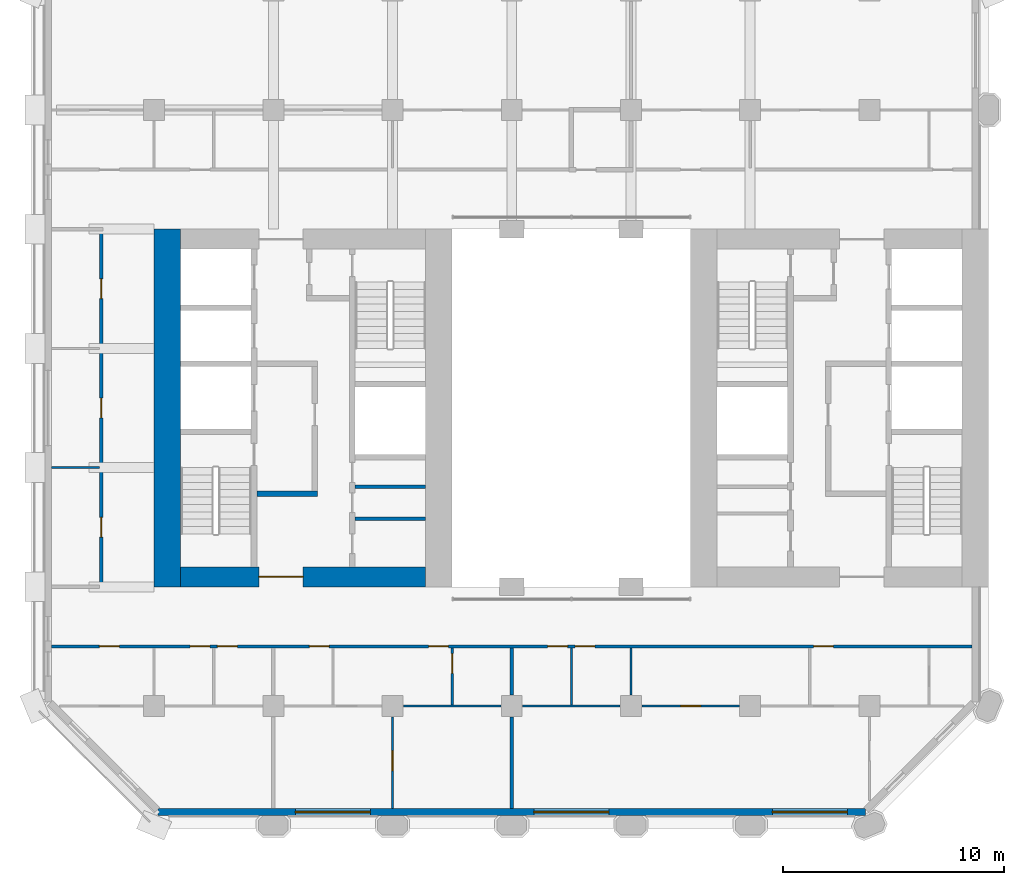
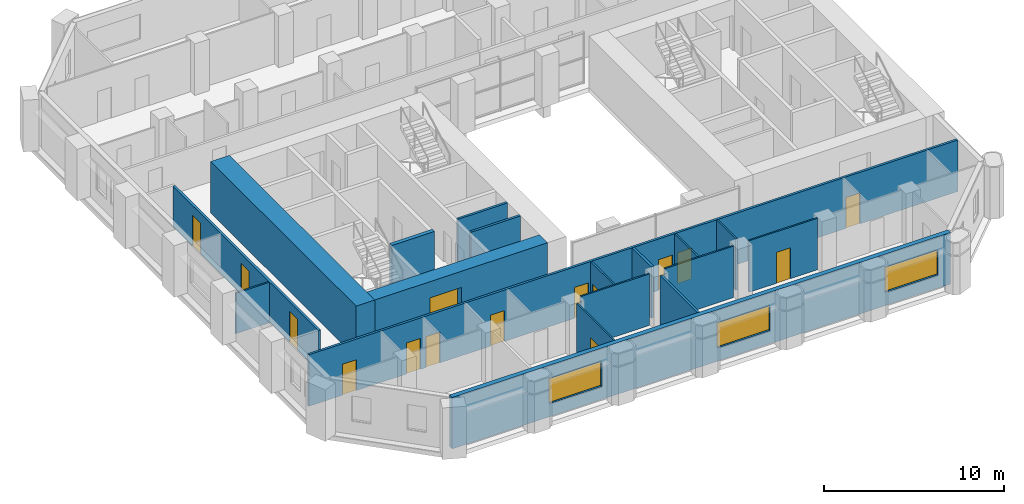
# One storey, part 6 of 13: 18 walls, 15 doors, 3 windows, 18 openings.
"""IFC4 building model written with IfcOpenShell, lengths in metres."""

from ifc_helpers import new_model, si_unit, direction, frame, frame_2d, origin, place, context, subcontext, project, spatial, rectangle, extrude, material, layer, layer_set, type_object, element, fill, save


model = new_model("IFC4")

# Units and contexts
model_context = context("Model", 3, precision=1e-05, world=origin(), true_north=direction((0.0, 1.0)))
body_context = subcontext(model_context, "Body", "Model", "MODEL_VIEW")
ifc_project = project(units=[si_unit("LENGTHUNIT", "METRE"), si_unit("AREAUNIT", "SQUARE_METRE"), si_unit("VOLUMEUNIT", "CUBIC_METRE"), si_unit("PLANEANGLEUNIT", "RADIAN"), si_unit("MASSUNIT", "GRAM", prefix="KILO")], contexts=[model_context])

# Site, building, storey
site_placement = place(None, origin())
site = spatial("IfcSite", under=ifc_project, at=site_placement, CompositionType="ELEMENT")
building_placement = place(site_placement, origin())
building = spatial("IfcBuilding", under=site, at=building_placement, Name="Tabaq Tower and Sports Hall", CompositionType="ELEMENT")
storey_placement = place(building_placement, frame((0.0, 0.0, 114.39990234375)))
storey = spatial("IfcBuildingStorey", under=building, at=storey_placement, Name="L27", CompositionType="ELEMENT", Elevation=114.39990234375)

# Walls
ifc_material_1 = material(Name="Blockwork", Category="masonry")
ifc_layer_1 = layer(ifc_material_1, 0.14990234375)
ifc_layer_set_1 = layer_set([ifc_layer_1], Name="Core room partition 150 Blockwork")
wall_type_1 = type_object("IfcWallType", Name="Core room partition 150 Blockwork", PredefinedType="PARTITIONING", material=ifc_layer_set_1)
for number, where, z_axis, x_axis, name in (
    (1, (14.5, 19.282958984375, 0.0), (0.0, 0.0, 1.0), (1.0, 0.0, 0.0), "Core room partition W L27"),
    (2, (14.5, 20.738037109375, 0.0), (0.0, 0.0, 1.0), (1.0, 0.0, 0.0), "Core room partition W L27"),
):
    element("IfcWall", number, at=place(storey_placement, frame(where, z_axis=z_axis, x_axis=x_axis)), inside=storey, type_object=wall_type_1, Name=name, PredefinedType="PARTITIONING", context=body_context, shape_type="SweptSolid", body=[
        extrude(rectangle(XDim=3.199951171875, YDim=0.14990234375, at=frame_2d((1.60009765625, 0.0))), origin(), (0.0, 0.0, 1.0), 3.5),
    ])
ifc_material_2 = material(Name="Concrete C60/75", Category="concrete")
ifc_layer_2 = layer(ifc_material_2, 1.199951171875)
ifc_layer_set_2 = layer_set([ifc_layer_2], Name="Core wall 1200 Concrete C60/75")
wall_type_2 = type_object("IfcWallType", Name="Core wall 1200 Concrete C60/75", PredefinedType="SOLIDWALL", material=ifc_layer_set_2)
wall_1_placement = place(storey_placement, frame((6.0, 16.199951171875, 0.0), z_axis=(0.0, 0.0, 1.0), x_axis=(0.0, 1.0, 0.0)))
element("IfcWall", 3, at=wall_1_placement, inside=storey, type_object=wall_type_2, Name="Core wall W L27", PredefinedType="SOLIDWALL", context=body_context, shape_type="SweptSolid", body=[
    extrude(rectangle(XDim=16.199951171875, YDim=1.199951171875, at=frame_2d((8.10009765625, 0.0))), origin(), (0.0, 0.0, 1.0), 3.5),
])

# Wall, opening, door
ifc_material_3 = material(Name="Concrete C60/75", Category="concrete")
ifc_layer_3 = layer(ifc_material_3, 0.89990234375)
ifc_layer_set_3 = layer_set([ifc_layer_3], Name="Core wall 900 Concrete C60/75")
wall_type_3 = type_object("IfcWallType", Name="Core wall 900 Concrete C60/75", PredefinedType="SOLIDWALL", material=ifc_layer_set_3)
wall_2_placement = place(storey_placement, frame((17.699951171875, 16.64990234375, 0.0), z_axis=(0.0, 0.0, 1.0), x_axis=(-1.0, 0.0, 0.0)))
wall_2 = element("IfcWall", 4, at=wall_2_placement, inside=storey, type_object=wall_type_3, Name="Core wall W L27", PredefinedType="SOLIDWALL", context=body_context, shape_type="SweptSolid", body=[
    extrude(rectangle(XDim=11.099853515625, YDim=0.89990234375, at=frame_2d((5.5498046875, 0.0))), origin(), (0.0, 0.0, 1.0), 3.5),
])
opening_1_placement = place(wall_2_placement, frame((5.550048828125, 0.0, 0.0)))
opening_1 = element("IfcOpeningElement", 5, at=opening_1_placement, cuts=wall_2, Name="Opening PD-WL27-01", PredefinedType="OPENING", context=body_context, shape_type="SweptSolid", body=[
    extrude(rectangle(XDim=2.0, YDim=2.39990234375, at=frame_2d((1.0, 1.199951171875))), frame((0.0, 0.449951171875, 0.0), z_axis=(0.0, -1.0, 0.0), x_axis=(1.0, 0.0, 0.0)), (0.0, 0.0, 1.0), 0.89990234375),
])
ifc_material_4 = material(Name="Steel fire door", Category="steel")
door_type_1 = type_object("IfcDoorType", Name="Core entrance door 2000", OperationType="DOUBLE_DOOR_SINGLE_SWING", PredefinedType="DOOR", material=ifc_material_4)
door_1_placement = place(opening_1_placement, origin())
door_1 = element("IfcDoor", 6, at=door_1_placement, inside=storey, type_object=door_type_1, Name="Core entrance south W L27", OperationType="DOUBLE_DOOR_SINGLE_SWING", OverallHeight=2.39990234375, OverallWidth=2.0, PredefinedType="DOOR", context=body_context, shape_type="SweptSolid", body=[
    extrude(rectangle(XDim=2.0, YDim=2.39990234375, at=frame_2d((1.0, 1.199951171875))), frame((0.0, 0.02490234375, 0.0), z_axis=(0.0, -1.0, 0.0), x_axis=(1.0, 0.0, 0.0)), (0.0, 0.0, 1.0), 0.050048828125),
])
fill(opening_1, door_1)

ifc_material_5 = material(Name="Gypsum board on steel studs", Category="steel")
ifc_layer_4 = layer(ifc_material_5, 0.10009765625)
ifc_layer_set_4 = layer_set([ifc_layer_4], Name="Partition 100 Gypsum board")
wall_type_4 = type_object("IfcWallType", Name="Partition 100 Gypsum board", PredefinedType="PARTITIONING", material=ifc_layer_set_4)
wall_3_placement = place(storey_placement, frame((18.89990234375, 10.85009765625, 0.0), z_axis=(0.0, 0.0, 1.0), x_axis=(0.0, 1.0, 0.0)))
wall_3 = element("IfcWall", 7, at=wall_3_placement, inside=storey, type_object=wall_type_4, Name="Partition wall L27", PredefinedType="PARTITIONING", context=body_context, shape_type="SweptSolid", body=[
    extrude(rectangle(XDim=2.574951171875, YDim=0.10009765625, at=frame_2d((1.28759765625, 0.0))), origin(), (0.0, 0.0, 1.0), 3.5),
])
opening_2_placement = place(wall_3_placement, frame((1.425048828125, 0.0, 0.0)))
opening_2 = element("IfcOpeningElement", 8, at=opening_2_placement, cuts=wall_3, Name="Opening L27-020", PredefinedType="OPENING", context=body_context, shape_type="SweptSolid", body=[
    extrude(rectangle(XDim=0.89990234375, YDim=2.10009765625, at=frame_2d((0.449951171875, 1.050048828125))), frame((0.0, 0.050048828125, 0.0), z_axis=(0.0, -1.0, 0.0), x_axis=(1.0, 0.0, 0.0)), (0.0, 0.0, 1.0), 0.10009765625),
])
ifc_material_6 = material(Name="Timber leaf in steel frame", Category="steel")
door_type_2 = type_object("IfcDoorType", Name="Internal door 900 right hand", OperationType="SINGLE_SWING_RIGHT", PredefinedType="DOOR", material=ifc_material_6)
door_2_placement = place(opening_2_placement, origin())
door_2 = element("IfcDoor", 9, at=door_2_placement, inside=storey, type_object=door_type_2, Name="Internal door L27-020", OperationType="SINGLE_SWING_RIGHT", OverallHeight=2.10009765625, OverallWidth=0.89990234375, PredefinedType="DOOR", context=body_context, shape_type="SweptSolid", body=[
    extrude(rectangle(XDim=0.89990234375, YDim=2.10009765625, at=frame_2d((0.449951171875, 1.050048828125))), frame((0.0, 0.02490234375, 0.0), z_axis=(0.0, -1.0, 0.0), x_axis=(1.0, 0.0, 0.0)), (0.0, 0.0, 1.0), 0.050048828125),
])
fill(opening_2, door_2)

# Wall
wall_4_placement = place(storey_placement, frame((16.695068359375, 10.800048828125, 0.0), z_axis=(0.0, 0.0, 1.0), x_axis=(1.0, 0.0, 0.0)))
element("IfcWall", 10, at=wall_4_placement, inside=storey, type_object=wall_type_4, Name="Partition wall L27", PredefinedType="PARTITIONING", context=body_context, shape_type="SweptSolid", body=[
    extrude(rectangle(XDim=4.409912109375, YDim=0.10009765625, at=frame_2d((2.205078125, 0.0))), origin(), (0.0, 0.0, 1.0), 3.5),
])

# Wall, opening, door
wall_5_placement = place(storey_placement, frame((16.199951171875, 6.15087890625, 0.0), z_axis=(0.0, 0.0, 1.0), x_axis=(0.0, 1.0, 0.0)))
wall_5 = element("IfcWall", 11, at=wall_5_placement, inside=storey, type_object=wall_type_4, Name="Partition wall L27", PredefinedType="PARTITIONING", context=body_context, shape_type="SweptSolid", body=[
    extrude(rectangle(XDim=4.154052734375, YDim=0.10009765625, at=frame_2d((2.0771484375, 0.0))), origin(), (0.0, 0.0, 1.0), 3.5),
])
opening_3_placement = place(wall_5_placement, frame((1.72412109375, 0.0, 0.0)))
opening_3 = element("IfcOpeningElement", 12, at=opening_3_placement, cuts=wall_5, Name="Opening L27-021", PredefinedType="OPENING", context=body_context, shape_type="SweptSolid", body=[
    extrude(rectangle(XDim=0.89990234375, YDim=2.10009765625, at=frame_2d((0.449951171875, 1.050048828125))), frame((0.0, 0.050048828125, 0.0), z_axis=(0.0, -1.0, 0.0), x_axis=(1.0, 0.0, 0.0)), (0.0, 0.0, 1.0), 0.10009765625),
])
door_3_placement = place(opening_3_placement, origin())
door_3 = element("IfcDoor", 13, at=door_3_placement, inside=storey, type_object=door_type_2, Name="Internal door L27-021", OperationType="SINGLE_SWING_RIGHT", OverallHeight=2.10009765625, OverallWidth=0.89990234375, PredefinedType="DOOR", context=body_context, shape_type="SweptSolid", body=[
    extrude(rectangle(XDim=0.89990234375, YDim=2.10009765625, at=frame_2d((0.449951171875, 1.050048828125))), frame((0.0, 0.02490234375, 0.0), z_axis=(0.0, -1.0, 0.0), x_axis=(1.0, 0.0, 0.0)), (0.0, 0.0, 1.0), 0.050048828125),
])
fill(opening_3, door_3)

# Walls
wall_6_placement = place(storey_placement, frame((24.300048828125, 10.85009765625, 0.0), z_axis=(0.0, 0.0, 1.0), x_axis=(0.0, 1.0, 0.0)))
element("IfcWall", 14, at=wall_6_placement, inside=storey, type_object=wall_type_4, Name="Partition wall L27", PredefinedType="PARTITIONING", context=body_context, shape_type="SweptSolid", body=[
    extrude(rectangle(XDim=2.574951171875, YDim=0.10009765625, at=frame_2d((1.28759765625, 0.0))), origin(), (0.0, 0.0, 1.0), 3.5),
])
wall_7_placement = place(storey_placement, frame((22.094970703125, 10.800048828125, 0.0), z_axis=(0.0, 0.0, 1.0), x_axis=(1.0, 0.0, 0.0)))
element("IfcWall", 15, at=wall_7_placement, inside=storey, type_object=wall_type_4, Name="Partition wall L27", PredefinedType="PARTITIONING", context=body_context, shape_type="SweptSolid", body=[
    extrude(rectangle(XDim=4.409912109375, YDim=0.10009765625, at=frame_2d((2.205078125, 0.0))), origin(), (0.0, 0.0, 1.0), 3.5),
])
wall_8_placement = place(storey_placement, frame((27.0, 11.294921875, 0.0), z_axis=(0.0, 0.0, 1.0), x_axis=(0.0, 1.0, 0.0)))
element("IfcWall", 16, at=wall_8_placement, inside=storey, type_object=wall_type_4, Name="Partition wall L27", PredefinedType="PARTITIONING", context=body_context, shape_type="SweptSolid", body=[
    extrude(rectangle(XDim=2.130126953125, YDim=0.10009765625, at=frame_2d((1.06494140625, 0.0))), origin(), (0.0, 0.0, 1.0), 3.5),
])

# Wall, opening, door
wall_9_placement = place(storey_placement, frame((27.4951171875, 10.800048828125, 0.0), z_axis=(0.0, 0.0, 1.0), x_axis=(1.0, 0.0, 0.0)))
wall_9 = element("IfcWall", 17, at=wall_9_placement, inside=storey, type_object=wall_type_4, Name="Partition wall L27", PredefinedType="PARTITIONING", context=body_context, shape_type="SweptSolid", body=[
    extrude(rectangle(XDim=4.409912109375, YDim=0.10009765625, at=frame_2d((2.205078125, 0.0))), origin(), (0.0, 0.0, 1.0), 3.5),
])
opening_4_placement = place(wall_9_placement, frame((1.7548828125, 0.0, 0.0)))
opening_4 = element("IfcOpeningElement", 18, at=opening_4_placement, cuts=wall_9, Name="Opening L27-022", PredefinedType="OPENING", context=body_context, shape_type="SweptSolid", body=[
    extrude(rectangle(XDim=0.89990234375, YDim=2.10009765625, at=frame_2d((0.449951171875, 1.050048828125))), frame((0.0, 0.050048828125, 0.0), z_axis=(0.0, -1.0, 0.0), x_axis=(1.0, 0.0, 0.0)), (0.0, 0.0, 1.0), 0.10009765625),
])
door_4_placement = place(opening_4_placement, origin())
door_4 = element("IfcDoor", 19, at=door_4_placement, inside=storey, type_object=door_type_2, Name="Internal door L27-022", OperationType="SINGLE_SWING_RIGHT", OverallHeight=2.10009765625, OverallWidth=0.89990234375, PredefinedType="DOOR", context=body_context, shape_type="SweptSolid", body=[
    extrude(rectangle(XDim=0.89990234375, YDim=2.10009765625, at=frame_2d((0.449951171875, 1.050048828125))), frame((0.0, 0.02490234375, 0.0), z_axis=(0.0, -1.0, 0.0), x_axis=(1.0, 0.0, 0.0)), (0.0, 0.0, 1.0), 0.050048828125),
])
fill(opening_4, door_4)

# Wall
wall_10_placement = place(storey_placement, frame((2.925048828125, 21.60009765625, 0.0), z_axis=(0.0, 0.0, 1.0), x_axis=(-1.0, 0.0, 0.0)))
element("IfcWall", 20, at=wall_10_placement, inside=storey, type_object=wall_type_4, Name="Partition wall L27", PredefinedType="PARTITIONING", context=body_context, shape_type="SweptSolid", body=[
    extrude(rectangle(XDim=2.174072265625, YDim=0.10009765625, at=frame_2d((1.0869140625, 0.0))), origin(), (0.0, 0.0, 1.0), 2.75),
])

# Wall, openings, doors
ifc_material_7 = material(Name="Blockwork", Category="masonry")
ifc_layer_5 = layer(ifc_material_7, 0.14990234375)
ifc_layer_set_5 = layer_set([ifc_layer_5], Name="Separating wall 150 Blockwork")
wall_type_5 = type_object("IfcWallType", Name="Separating wall 150 Blockwork", PredefinedType="PARTITIONING", material=ifc_layer_set_5)
wall_11_placement = place(storey_placement, frame((3.0, 32.324951171875, 0.0), z_axis=(0.0, 0.0, 1.0), x_axis=(0.0, -1.0, 0.0)))
wall_11 = element("IfcWall", 21, at=wall_11_placement, inside=storey, type_object=wall_type_5, Name="Separating wall L27", PredefinedType="PARTITIONING", context=body_context, shape_type="SweptSolid", body=[
    extrude(rectangle(XDim=16.199951171875, YDim=0.14990234375, at=frame_2d((8.10009765625, 0.0))), origin(), (0.0, 0.0, 1.0), 2.75),
])
opening_5_placement = place(wall_11_placement, frame((12.97509765625, 0.0, 0.0)))
opening_5 = element("IfcOpeningElement", 22, at=opening_5_placement, cuts=wall_11, Name="Opening L27-009", PredefinedType="OPENING", context=body_context, shape_type="SweptSolid", body=[
    extrude(rectangle(XDim=0.89990234375, YDim=2.10009765625, at=frame_2d((0.449951171875, 1.050048828125))), frame((0.0, 0.074951171875, 0.0), z_axis=(0.0, -1.0, 0.0), x_axis=(1.0, 0.0, 0.0)), (0.0, 0.0, 1.0), 0.14990234375),
])
opening_6_placement = place(wall_11_placement, frame((7.574951171875, 0.0, 0.0)))
opening_6 = element("IfcOpeningElement", 23, at=opening_6_placement, cuts=wall_11, Name="Opening L27-010", PredefinedType="OPENING", context=body_context, shape_type="SweptSolid", body=[
    extrude(rectangle(XDim=0.89990234375, YDim=2.10009765625, at=frame_2d((0.449951171875, 1.050048828125))), frame((0.0, 0.074951171875, 0.0), z_axis=(0.0, -1.0, 0.0), x_axis=(1.0, 0.0, 0.0)), (0.0, 0.0, 1.0), 0.14990234375),
])
opening_7_placement = place(wall_11_placement, frame((2.175048828125, 0.0, 0.0)))
opening_7 = element("IfcOpeningElement", 24, at=opening_7_placement, cuts=wall_11, Name="Opening L27-011", PredefinedType="OPENING", context=body_context, shape_type="SweptSolid", body=[
    extrude(rectangle(XDim=0.89990234375, YDim=2.10009765625, at=frame_2d((0.449951171875, 1.050048828125))), frame((0.0, 0.074951171875, 0.0), z_axis=(0.0, -1.0, 0.0), x_axis=(1.0, 0.0, 0.0)), (0.0, 0.0, 1.0), 0.14990234375),
])
ifc_material_8 = material(Name="Timber leaf in steel frame", Category="steel")
door_type_3 = type_object("IfcDoorType", Name="Internal door 900 left hand", OperationType="SINGLE_SWING_LEFT", PredefinedType="DOOR", material=ifc_material_8)
door_5_placement = place(opening_5_placement, origin())
door_5 = element("IfcDoor", 25, at=door_5_placement, inside=storey, type_object=door_type_3, Name="Internal door L27-009", OperationType="SINGLE_SWING_LEFT", OverallHeight=2.10009765625, OverallWidth=0.89990234375, PredefinedType="DOOR", context=body_context, shape_type="SweptSolid", body=[
    extrude(rectangle(XDim=0.89990234375, YDim=2.10009765625, at=frame_2d((0.449951171875, 1.050048828125))), frame((0.0, 0.02490234375, 0.0), z_axis=(0.0, -1.0, 0.0), x_axis=(1.0, 0.0, 0.0)), (0.0, 0.0, 1.0), 0.050048828125),
])
fill(opening_5, door_5)
door_6_placement = place(opening_6_placement, origin())
door_6 = element("IfcDoor", 26, at=door_6_placement, inside=storey, type_object=door_type_3, Name="Internal door L27-010", OperationType="SINGLE_SWING_LEFT", OverallHeight=2.10009765625, OverallWidth=0.89990234375, PredefinedType="DOOR", context=body_context, shape_type="SweptSolid", body=[
    extrude(rectangle(XDim=0.89990234375, YDim=2.10009765625, at=frame_2d((0.449951171875, 1.050048828125))), frame((0.0, 0.02490234375, 0.0), z_axis=(0.0, -1.0, 0.0), x_axis=(1.0, 0.0, 0.0)), (0.0, 0.0, 1.0), 0.050048828125),
])
fill(opening_6, door_6)
door_7_placement = place(opening_7_placement, origin())
door_7 = element("IfcDoor", 27, at=door_7_placement, inside=storey, type_object=door_type_3, Name="Internal door L27-011", OperationType="SINGLE_SWING_LEFT", OverallHeight=2.10009765625, OverallWidth=0.89990234375, PredefinedType="DOOR", context=body_context, shape_type="SweptSolid", body=[
    extrude(rectangle(XDim=0.89990234375, YDim=2.10009765625, at=frame_2d((0.449951171875, 1.050048828125))), frame((0.0, 0.02490234375, 0.0), z_axis=(0.0, -1.0, 0.0), x_axis=(1.0, 0.0, 0.0)), (0.0, 0.0, 1.0), 0.050048828125),
])
fill(opening_7, door_7)

wall_12_placement = place(storey_placement, frame((0.7509765625, 13.5, 0.0), z_axis=(0.0, 0.0, 1.0), x_axis=(1.0, 0.0, 0.0)))
wall_12 = element("IfcWall", 28, at=wall_12_placement, inside=storey, type_object=wall_type_5, Name="Separating wall L27", PredefinedType="PARTITIONING", context=body_context, shape_type="SweptSolid", body=[
    extrude(rectangle(XDim=41.697998046875, YDim=0.14990234375, at=frame_2d((20.84912109375, 0.0))), origin(), (0.0, 0.0, 1.0), 3.5),
])
opening_8_placement = place(wall_12_placement, frame((6.279052734375, 0.0, 0.0)))
opening_8 = element("IfcOpeningElement", 29, at=opening_8_placement, cuts=wall_12, Name="Opening L27-004", PredefinedType="OPENING", context=body_context, shape_type="SweptSolid", body=[
    extrude(rectangle(XDim=0.89990234375, YDim=2.10009765625, at=frame_2d((0.449951171875, 1.050048828125))), frame((0.0, 0.074951171875, 0.0), z_axis=(0.0, -1.0, 0.0), x_axis=(1.0, 0.0, 0.0)), (0.0, 0.0, 1.0), 0.14990234375),
])
opening_9_placement = place(wall_12_placement, frame((7.51904296875, 0.0, 0.0)))
opening_9 = element("IfcOpeningElement", 30, at=opening_9_placement, cuts=wall_12, Name="Opening L27-005", PredefinedType="OPENING", context=body_context, shape_type="SweptSolid", body=[
    extrude(rectangle(XDim=0.89990234375, YDim=2.10009765625, at=frame_2d((0.449951171875, 1.050048828125))), frame((0.0, 0.074951171875, 0.0), z_axis=(0.0, -1.0, 0.0), x_axis=(1.0, 0.0, 0.0)), (0.0, 0.0, 1.0), 0.14990234375),
])
opening_10_placement = place(wall_12_placement, frame((11.678955078125, 0.0, 0.0)))
opening_10 = element("IfcOpeningElement", 31, at=opening_10_placement, cuts=wall_12, Name="Opening L27-006", PredefinedType="OPENING", context=body_context, shape_type="SweptSolid", body=[
    extrude(rectangle(XDim=0.89990234375, YDim=2.10009765625, at=frame_2d((0.449951171875, 1.050048828125))), frame((0.0, 0.074951171875, 0.0), z_axis=(0.0, -1.0, 0.0), x_axis=(1.0, 0.0, 0.0)), (0.0, 0.0, 1.0), 0.14990234375),
])
opening_11_placement = place(wall_12_placement, frame((22.47900390625, 0.0, 0.0)))
opening_11 = element("IfcOpeningElement", 32, at=opening_11_placement, cuts=wall_12, Name="Opening L27-007", PredefinedType="OPENING", context=body_context, shape_type="SweptSolid", body=[
    extrude(rectangle(XDim=0.89990234375, YDim=2.10009765625, at=frame_2d((0.449951171875, 1.050048828125))), frame((0.0, 0.074951171875, 0.0), z_axis=(0.0, -1.0, 0.0), x_axis=(1.0, 0.0, 0.0)), (0.0, 0.0, 1.0), 0.14990234375),
])
opening_12_placement = place(wall_12_placement, frame((23.718994140625, 0.0, 0.0)))
opening_12 = element("IfcOpeningElement", 33, at=opening_12_placement, cuts=wall_12, Name="Opening L27-008", PredefinedType="OPENING", context=body_context, shape_type="SweptSolid", body=[
    extrude(rectangle(XDim=0.89990234375, YDim=2.10009765625, at=frame_2d((0.449951171875, 1.050048828125))), frame((0.0, 0.074951171875, 0.0), z_axis=(0.0, -1.0, 0.0), x_axis=(1.0, 0.0, 0.0)), (0.0, 0.0, 1.0), 0.14990234375),
])
opening_13_placement = place(wall_12_placement, frame((2.174072265625, 0.0, 0.0)))
opening_13 = element("IfcOpeningElement", 34, at=opening_13_placement, cuts=wall_12, Name="Opening L27-027", PredefinedType="OPENING", context=body_context, shape_type="SweptSolid", body=[
    extrude(rectangle(XDim=0.89990234375, YDim=2.10009765625, at=frame_2d((0.449951171875, 1.050048828125))), frame((0.0, 0.074951171875, 0.0), z_axis=(0.0, -1.0, 0.0), x_axis=(1.0, 0.0, 0.0)), (0.0, 0.0, 1.0), 0.14990234375),
])
opening_14_placement = place(wall_12_placement, frame((17.0791015625, 0.0, 0.0)))
opening_14 = element("IfcOpeningElement", 35, at=opening_14_placement, cuts=wall_12, Name="Opening L27-031", PredefinedType="OPENING", context=body_context, shape_type="SweptSolid", body=[
    extrude(rectangle(XDim=0.89990234375, YDim=2.10009765625, at=frame_2d((0.449951171875, 1.050048828125))), frame((0.0, 0.074951171875, 0.0), z_axis=(0.0, -1.0, 0.0), x_axis=(1.0, 0.0, 0.0)), (0.0, 0.0, 1.0), 0.14990234375),
])
opening_15_placement = place(wall_12_placement, frame((34.51904296875, 0.0, 0.0)))
opening_15 = element("IfcOpeningElement", 36, at=opening_15_placement, cuts=wall_12, Name="Opening L27-032", PredefinedType="OPENING", context=body_context, shape_type="SweptSolid", body=[
    extrude(rectangle(XDim=0.89990234375, YDim=2.10009765625, at=frame_2d((0.449951171875, 1.050048828125))), frame((0.0, 0.074951171875, 0.0), z_axis=(0.0, -1.0, 0.0), x_axis=(1.0, 0.0, 0.0)), (0.0, 0.0, 1.0), 0.14990234375),
])
ifc_material_9 = material(Name="Steel fire door", Category="steel")
door_type_4 = type_object("IfcDoorType", Name="Entrance door 900 left hand", OperationType="SINGLE_SWING_LEFT", PredefinedType="DOOR", material=ifc_material_9)
door_8_placement = place(opening_8_placement, origin())
door_8 = element("IfcDoor", 37, at=door_8_placement, inside=storey, type_object=door_type_4, Name="Entrance door L27-004", OperationType="SINGLE_SWING_LEFT", OverallHeight=2.10009765625, OverallWidth=0.89990234375, PredefinedType="DOOR", context=body_context, shape_type="SweptSolid", body=[
    extrude(rectangle(XDim=0.89990234375, YDim=2.10009765625, at=frame_2d((0.449951171875, 1.050048828125))), frame((0.0, 0.02490234375, 0.0), z_axis=(0.0, -1.0, 0.0), x_axis=(1.0, 0.0, 0.0)), (0.0, 0.0, 1.0), 0.050048828125),
])
fill(opening_8, door_8)
door_9_placement = place(opening_9_placement, origin())
door_9 = element("IfcDoor", 38, at=door_9_placement, inside=storey, type_object=door_type_4, Name="Entrance door L27-005", OperationType="SINGLE_SWING_LEFT", OverallHeight=2.10009765625, OverallWidth=0.89990234375, PredefinedType="DOOR", context=body_context, shape_type="SweptSolid", body=[
    extrude(rectangle(XDim=0.89990234375, YDim=2.10009765625, at=frame_2d((0.449951171875, 1.050048828125))), frame((0.0, 0.02490234375, 0.0), z_axis=(0.0, -1.0, 0.0), x_axis=(1.0, 0.0, 0.0)), (0.0, 0.0, 1.0), 0.050048828125),
])
fill(opening_9, door_9)
door_10_placement = place(opening_10_placement, origin())
door_10 = element("IfcDoor", 39, at=door_10_placement, inside=storey, type_object=door_type_4, Name="Entrance door L27-006", OperationType="SINGLE_SWING_LEFT", OverallHeight=2.10009765625, OverallWidth=0.89990234375, PredefinedType="DOOR", context=body_context, shape_type="SweptSolid", body=[
    extrude(rectangle(XDim=0.89990234375, YDim=2.10009765625, at=frame_2d((0.449951171875, 1.050048828125))), frame((0.0, 0.02490234375, 0.0), z_axis=(0.0, -1.0, 0.0), x_axis=(1.0, 0.0, 0.0)), (0.0, 0.0, 1.0), 0.050048828125),
])
fill(opening_10, door_10)
door_11_placement = place(opening_11_placement, origin())
door_11 = element("IfcDoor", 40, at=door_11_placement, inside=storey, type_object=door_type_4, Name="Entrance door L27-007", OperationType="SINGLE_SWING_LEFT", OverallHeight=2.10009765625, OverallWidth=0.89990234375, PredefinedType="DOOR", context=body_context, shape_type="SweptSolid", body=[
    extrude(rectangle(XDim=0.89990234375, YDim=2.10009765625, at=frame_2d((0.449951171875, 1.050048828125))), frame((0.0, 0.02490234375, 0.0), z_axis=(0.0, -1.0, 0.0), x_axis=(1.0, 0.0, 0.0)), (0.0, 0.0, 1.0), 0.050048828125),
])
fill(opening_11, door_11)
door_12_placement = place(opening_12_placement, origin())
door_12 = element("IfcDoor", 41, at=door_12_placement, inside=storey, type_object=door_type_4, Name="Entrance door L27-008", OperationType="SINGLE_SWING_LEFT", OverallHeight=2.10009765625, OverallWidth=0.89990234375, PredefinedType="DOOR", context=body_context, shape_type="SweptSolid", body=[
    extrude(rectangle(XDim=0.89990234375, YDim=2.10009765625, at=frame_2d((0.449951171875, 1.050048828125))), frame((0.0, 0.02490234375, 0.0), z_axis=(0.0, -1.0, 0.0), x_axis=(1.0, 0.0, 0.0)), (0.0, 0.0, 1.0), 0.050048828125),
])
fill(opening_12, door_12)
door_13_placement = place(opening_13_placement, origin())
door_13 = element("IfcDoor", 42, at=door_13_placement, inside=storey, type_object=door_type_4, Name="Entrance door L27-027", OperationType="SINGLE_SWING_LEFT", OverallHeight=2.10009765625, OverallWidth=0.89990234375, PredefinedType="DOOR", context=body_context, shape_type="SweptSolid", body=[
    extrude(rectangle(XDim=0.89990234375, YDim=2.10009765625, at=frame_2d((0.449951171875, 1.050048828125))), frame((0.0, 0.02490234375, 0.0), z_axis=(0.0, -1.0, 0.0), x_axis=(1.0, 0.0, 0.0)), (0.0, 0.0, 1.0), 0.050048828125),
])
fill(opening_13, door_13)
door_14_placement = place(opening_14_placement, origin())
door_14 = element("IfcDoor", 43, at=door_14_placement, inside=storey, type_object=door_type_4, Name="Entrance door L27-031", OperationType="SINGLE_SWING_LEFT", OverallHeight=2.10009765625, OverallWidth=0.89990234375, PredefinedType="DOOR", context=body_context, shape_type="SweptSolid", body=[
    extrude(rectangle(XDim=0.89990234375, YDim=2.10009765625, at=frame_2d((0.449951171875, 1.050048828125))), frame((0.0, 0.02490234375, 0.0), z_axis=(0.0, -1.0, 0.0), x_axis=(1.0, 0.0, 0.0)), (0.0, 0.0, 1.0), 0.050048828125),
])
fill(opening_14, door_14)
door_15_placement = place(opening_15_placement, origin())
door_15 = element("IfcDoor", 44, at=door_15_placement, inside=storey, type_object=door_type_4, Name="Entrance door L27-032", OperationType="SINGLE_SWING_LEFT", OverallHeight=2.10009765625, OverallWidth=0.89990234375, PredefinedType="DOOR", context=body_context, shape_type="SweptSolid", body=[
    extrude(rectangle(XDim=0.89990234375, YDim=2.10009765625, at=frame_2d((0.449951171875, 1.050048828125))), frame((0.0, 0.02490234375, 0.0), z_axis=(0.0, -1.0, 0.0), x_axis=(1.0, 0.0, 0.0)), (0.0, 0.0, 1.0), 0.050048828125),
])
fill(opening_15, door_15)

# Walls
wall_13_placement = place(storey_placement, frame((21.60009765625, 11.294921875, 0.0), z_axis=(0.0, 0.0, 1.0), x_axis=(0.0, 1.0, 0.0)))
element("IfcWall", 45, at=wall_13_placement, inside=storey, type_object=wall_type_5, Name="Separating wall L27", PredefinedType="PARTITIONING", context=body_context, shape_type="SweptSolid", body=[
    extrude(rectangle(XDim=2.130126953125, YDim=0.14990234375, at=frame_2d((1.06494140625, 0.0))), origin(), (0.0, 0.0, 1.0), 3.5),
])
wall_14_placement = place(storey_placement, frame((21.60009765625, 6.15087890625, 0.0), z_axis=(0.0, 0.0, 1.0), x_axis=(0.0, 1.0, 0.0)))
element("IfcWall", 46, at=wall_14_placement, inside=storey, type_object=wall_type_5, Name="Separating wall L27", PredefinedType="PARTITIONING", context=body_context, shape_type="SweptSolid", body=[
    extrude(rectangle(XDim=4.154052734375, YDim=0.14990234375, at=frame_2d((2.0771484375, 0.0))), origin(), (0.0, 0.0, 1.0), 3.5),
])
ifc_material_10 = material(Name="Concrete C40/50", Category="concrete")
ifc_layer_6 = layer(ifc_material_10, 0.25)
ifc_layer_set_6 = layer_set([ifc_layer_6], Name="Shaft and stair wall 250 Concrete C40/50")
wall_type_6 = type_object("IfcWallType", Name="Shaft and stair wall 250 Concrete C40/50", PredefinedType="SOLIDWALL", material=ifc_layer_set_6)
wall_15_placement = place(storey_placement, frame((10.050048828125, 20.425048828125, 0.0), z_axis=(0.0, 0.0, 1.0), x_axis=(1.0, 0.0, 0.0)))
element("IfcWall", 47, at=wall_15_placement, inside=storey, type_object=wall_type_6, Name="Fire-fighting lobby wall W L27", PredefinedType="SOLIDWALL", context=body_context, shape_type="SweptSolid", body=[
    extrude(rectangle(XDim=2.75, YDim=0.25, at=frame_2d((1.375, 0.0))), origin(), (0.0, 0.0, 1.0), 3.5),
])

# Wall, openings, windows
ifc_material_11 = material(Name="White precast concrete C60/75", Category="concrete")
ifc_layer_7 = layer(ifc_material_11, 0.300048828125)
ifc_layer_set_7 = layer_set([ifc_layer_7], Name="White precast concrete C60/75 external wall 300")
wall_type_7 = type_object("IfcWallType", Name="White precast concrete C60/75 external wall 300", PredefinedType="SOLIDWALL", material=ifc_layer_set_7)
wall_16_placement = place(storey_placement, frame((5.58642578125, 6.0, 0.0), z_axis=(0.0, 0.0, 1.0), x_axis=(1.0, 0.0, 0.0)))
wall_16 = element("IfcWall", 48, at=wall_16_placement, inside=storey, type_object=wall_type_7, Name="External Wall L27 S", PredefinedType="SOLIDWALL", context=body_context, shape_type="SweptSolid", body=[
    extrude(rectangle(XDim=32.027099609375, YDim=0.300048828125, at=frame_2d((16.013671875, 0.0))), origin(), (0.0, 0.0, 1.0), 3.5),
])
opening_16_placement = place(wall_16_placement, frame((6.213623046875, 0.0, 0.89990234375)))
opening_16 = element("IfcOpeningElement", 49, at=opening_16_placement, cuts=wall_16, Name="Opening W1A", PredefinedType="OPENING", context=body_context, shape_type="SweptSolid", body=[
    extrude(rectangle(XDim=3.39990234375, YDim=1.699951171875, at=frame_2d((1.699951171875, 0.85009765625))), frame((0.0, 0.16015625, 0.0), z_axis=(0.0, -1.0, 0.0), x_axis=(1.0, 0.0, 0.0)), (0.0, 0.0, 1.0), 0.320068359375),
])
opening_17_placement = place(wall_16_placement, frame((17.013671875, 0.0, 0.89990234375)))
opening_17 = element("IfcOpeningElement", 50, at=opening_17_placement, cuts=wall_16, Name="Opening W1A", PredefinedType="OPENING", context=body_context, shape_type="SweptSolid", body=[
    extrude(rectangle(XDim=3.39990234375, YDim=1.699951171875, at=frame_2d((1.699951171875, 0.85009765625))), frame((0.0, 0.16015625, 0.0), z_axis=(0.0, -1.0, 0.0), x_axis=(1.0, 0.0, 0.0)), (0.0, 0.0, 1.0), 0.320068359375),
])
opening_18_placement = place(wall_16_placement, frame((27.813720703125, 0.0, 0.89990234375)))
opening_18 = element("IfcOpeningElement", 51, at=opening_18_placement, cuts=wall_16, Name="Opening W1A", PredefinedType="OPENING", context=body_context, shape_type="SweptSolid", body=[
    extrude(rectangle(XDim=3.39990234375, YDim=1.699951171875, at=frame_2d((1.699951171875, 0.85009765625))), frame((0.0, 0.16015625, 0.0), z_axis=(0.0, -1.0, 0.0), x_axis=(1.0, 0.0, 0.0)), (0.0, 0.0, 1.0), 0.320068359375),
])
ifc_material_12 = material(Name="Aluminium framed clear glazing", Category="aluminium")
window_type = type_object("IfcWindowType", Name="Window W1A", PartitioningType="SINGLE_PANEL", PredefinedType="WINDOW", material=ifc_material_12)
window_1_placement = place(opening_16_placement, origin())
window_1 = element("IfcWindow", 52, at=window_1_placement, inside=storey, type_object=window_type, Name="Window W1A L27", OverallHeight=1.699951171875, OverallWidth=3.39990234375, PartitioningType="SINGLE_PANEL", PredefinedType="WINDOW", context=body_context, shape_type="SweptSolid", body=[
    extrude(rectangle(XDim=3.39990234375, YDim=1.699951171875, at=frame_2d((1.699951171875, 0.85009765625))), frame((0.0, 0.030029296875, 0.0), z_axis=(0.0, -1.0, 0.0), x_axis=(1.0, 0.0, 0.0)), (0.0, 0.0, 1.0), 0.06005859375),
])
fill(opening_16, window_1)
window_2_placement = place(opening_17_placement, origin())
window_2 = element("IfcWindow", 53, at=window_2_placement, inside=storey, type_object=window_type, Name="Window W1A L27", OverallHeight=1.699951171875, OverallWidth=3.39990234375, PartitioningType="SINGLE_PANEL", PredefinedType="WINDOW", context=body_context, shape_type="SweptSolid", body=[
    extrude(rectangle(XDim=3.39990234375, YDim=1.699951171875, at=frame_2d((1.699951171875, 0.85009765625))), frame((0.0, 0.030029296875, 0.0), z_axis=(0.0, -1.0, 0.0), x_axis=(1.0, 0.0, 0.0)), (0.0, 0.0, 1.0), 0.06005859375),
])
fill(opening_17, window_2)
window_3_placement = place(opening_18_placement, origin())
window_3 = element("IfcWindow", 54, at=window_3_placement, inside=storey, type_object=window_type, Name="Window W1A L27", OverallHeight=1.699951171875, OverallWidth=3.39990234375, PartitioningType="SINGLE_PANEL", PredefinedType="WINDOW", context=body_context, shape_type="SweptSolid", body=[
    extrude(rectangle(XDim=3.39990234375, YDim=1.699951171875, at=frame_2d((1.699951171875, 0.85009765625))), frame((0.0, 0.030029296875, 0.0), z_axis=(0.0, -1.0, 0.0), x_axis=(1.0, 0.0, 0.0)), (0.0, 0.0, 1.0), 0.06005859375),
])
fill(opening_18, window_3)

save(model, "model.ifc")
